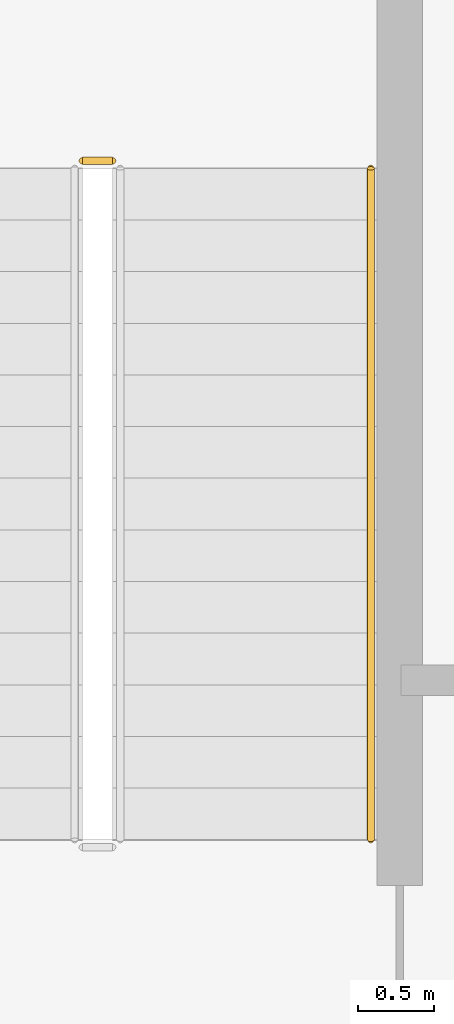
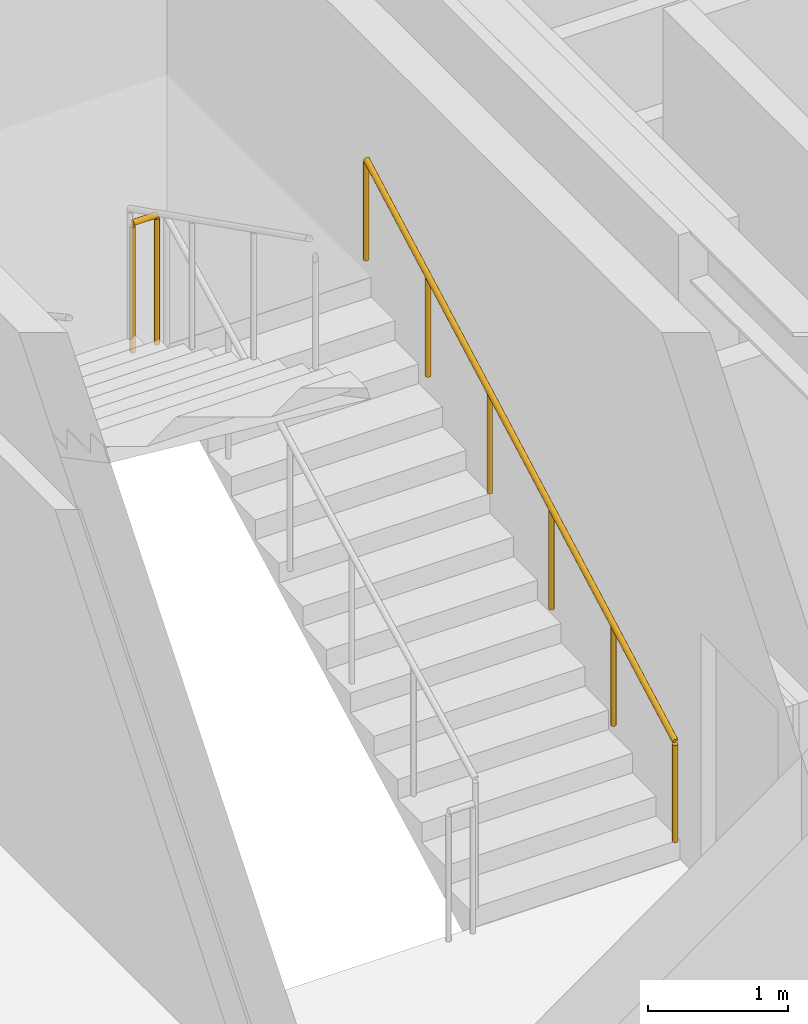
# One storey, part 27 of 28: 2 railings.
"""IFC4 building model written with IfcOpenShell, lengths in metres."""

from ifc_helpers import new_model, si_unit, direction, frame, origin, origin_2d, place, context, subcontext, project, spatial, circle, extrude, material, type_object, element, save


model = new_model("IFC4")

# Units and contexts
model_context = context("Model", 3, precision=1e-05, world=origin(), true_north=direction((0.0, 1.0)))
body_context = subcontext(model_context, "Body", "Model", "MODEL_VIEW")
ifc_project = project(units=[si_unit("LENGTHUNIT", "METRE"), si_unit("AREAUNIT", "SQUARE_METRE"), si_unit("VOLUMEUNIT", "CUBIC_METRE"), si_unit("PLANEANGLEUNIT", "RADIAN"), si_unit("MASSUNIT", "GRAM", prefix="KILO")], contexts=[model_context])

# Site, building, storey
site_placement = place(None, origin())
site = spatial("IfcSite", under=ifc_project, at=site_placement, CompositionType="ELEMENT")
building_placement = place(site_placement, origin())
building = spatial("IfcBuilding", under=site, at=building_placement, Name="Nahalor Promenade Grand Hotel", CompositionType="ELEMENT")
storey_placement = place(building_placement, frame((0.0, 0.0, 256.699951171875)))
storey = spatial("IfcBuildingStorey", under=building, at=storey_placement, Name="L66", CompositionType="ELEMENT", Elevation=256.699951171875)

# Railings
ifc_material = material(Name="Steel S355JR", Category="steel")
railing_type_1 = type_object("IfcRailingType", Name="Steel Stair Guardrail 1150 mm", PredefinedType="GUARDRAIL", material=ifc_material)
railing_1_placement = place(storey_placement, frame((5.699951171875, 12.570068359375, 2.400146484375)))
element("IfcRailing", 1, at=railing_1_placement, inside=storey, type_object=railing_type_1, Name="L66 ST1 stair guard 2", PredefinedType="GUARDRAIL", context=body_context, shape_type="SweptSolid", body=[
    extrude(circle(Radius=0.024048, at=origin_2d()), frame((0.0, 0.0, 1.1259765625), z_axis=(-1.0, 0.0, 0.0), x_axis=(0.0, -1.0, 0.0)), (0.0, 0.0, 1.0), 0.199951171875),
    extrude(circle(Radius=0.020996, at=origin_2d()), origin(), (0.0, 0.0, 1.0), 1.099853515625),
    extrude(circle(Radius=0.020996, at=origin_2d()), frame((-0.199951171875, 0.0, 0.0)), (0.0, 0.0, 1.0), 1.099853515625),
])
railing_type_2 = type_object("IfcRailingType", Name="Steel Stair Handrail 900 mm", PredefinedType="HANDRAIL", material=ifc_material)
railing_2_placement = place(storey_placement, frame((7.39990234375, 8.10009765625, 0.17138671875)))
element("IfcRailing", 2, at=railing_2_placement, inside=storey, type_object=railing_type_2, Name="L66 ST1 stair handrail 1", PredefinedType="HANDRAIL", context=body_context, shape_type="SweptSolid", body=[
    extrude(circle(Radius=0.024048, at=origin_2d()), frame((0.0, 0.0, 0.8759765625), z_axis=(0.0, 0.878790038763, 0.477208620806), x_axis=(-1.0, 0.0, 0.0)), (0.0, 0.0, 1.0), 5.029541015625),
    extrude(circle(Radius=0.020996, at=origin_2d()), origin(), (0.0, 0.0, 1.0), 0.849853515625),
    extrude(circle(Radius=0.020996, at=origin_2d()), frame((0.0, 0.884033203125, 0.47998046875)), (0.0, 0.0, 1.0), 0.849853515625),
    extrude(circle(Radius=0.020996, at=origin_2d()), frame((0.0, 1.76806640625, 0.9599609375)), (0.0, 0.0, 1.0), 0.849853515625),
    extrude(circle(Radius=0.020996, at=origin_2d()), frame((0.0, 2.65185546875, 1.440185546875)), (0.0, 0.0, 1.0), 0.849853515625),
    extrude(circle(Radius=0.020996, at=origin_2d()), frame((0.0, 3.535888671875, 1.920166015625)), (0.0, 0.0, 1.0), 0.849853515625),
    extrude(circle(Radius=0.020996, at=origin_2d()), frame((0.0, 4.419921875, 2.400146484375)), (0.0, 0.0, 1.0), 0.849853515625),
])

save(model, "model.ifc")
